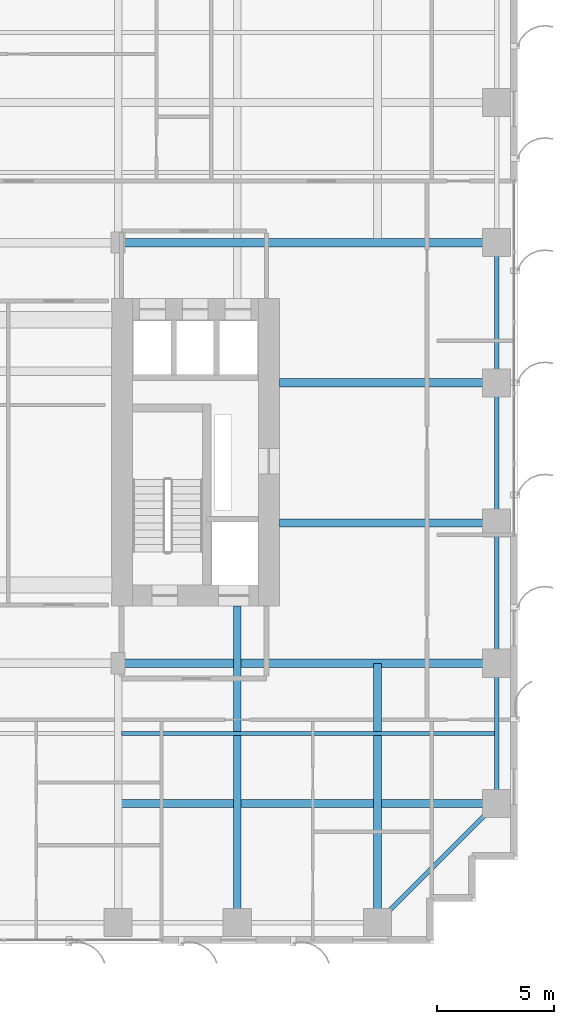
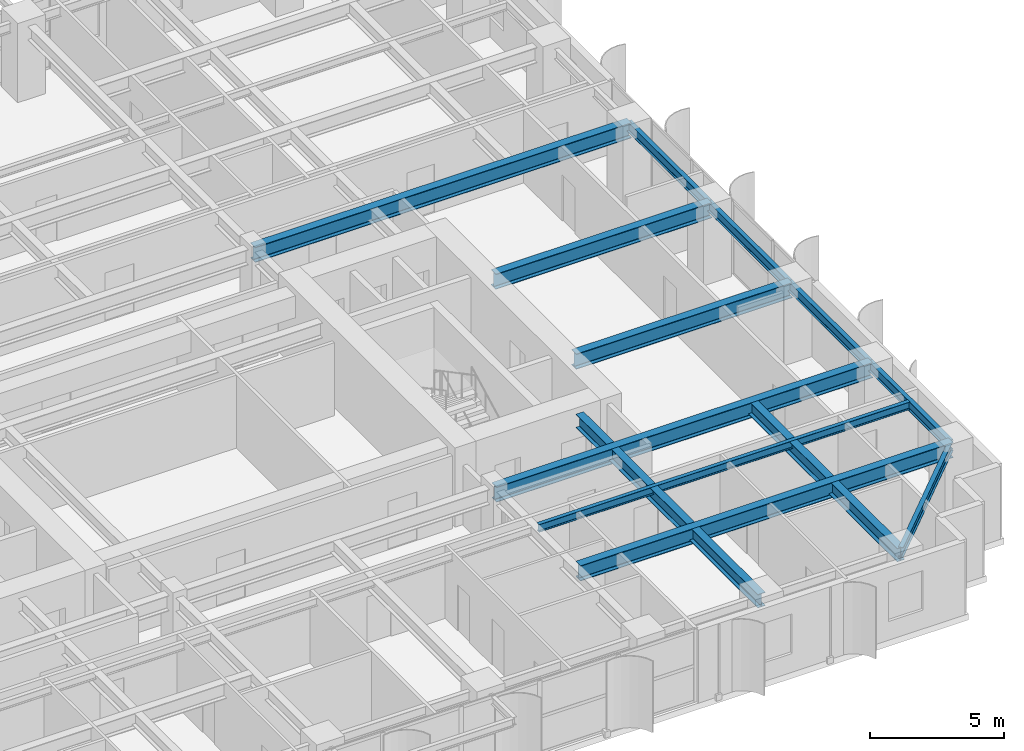
# One storey, part 8 of 25: 13 beams.
"""IFC4 building model written with IfcOpenShell, lengths in metres."""

import ifcopenshell
import ifcopenshell.guid

model = None  # the IFC model being written
_history = None  # IfcOwnerHistory: only IFC2X3 demands one
_inside = {}  # id of a spatial element -> (the spatial element, [elements in it])
_under = {}  # id of a project, library or spatial element -> (it, [spatial elements below it])
_declared = {}  # id of a project -> (the project, [libraries it declares])
_typed = {}  # id of a type object -> (the type object, [elements of that type])
_made_of = {}  # id of a material, layer set ... -> (it, [elements and type objects made of it])


def new_model(schema):
    """Start an empty IFC model of exactly this schema.

    Asked for "IFC4X3", IfcOpenShell would pick the latest addendum, in which some entities
    have other attributes; the version numbers below select the first issue.
    IFC2X3 requires an IfcOwnerHistory on every rooted entity: one is made here for all.
    """
    global model, _history
    if schema == "IFC4X3":
        model = ifcopenshell.file(schema_version=(4, 3, 0, 0))
    else:
        model = ifcopenshell.file(schema=schema)
    _inside.clear()
    _under.clear()
    _declared.clear()
    _typed.clear()
    _made_of.clear()
    _history = None
    if model.schema == "IFC2X3":
        org = make("IfcOrganization", Name="unknown")
        user = make(
            "IfcPersonAndOrganization",
            ThePerson=make("IfcPerson", FamilyName="unknown"),
            TheOrganization=org,
        )
        app = make(
            "IfcApplication",
            ApplicationDeveloper=org,
            Version="unknown",
            ApplicationFullName="unknown",
            ApplicationIdentifier="unknown",
        )
        _history = make(
            "IfcOwnerHistory",
            OwningUser=user,
            OwningApplication=app,
            ChangeAction="ADDED",
            CreationDate=0,
        )
    return model


def make(cls, **values):
    """One entity of the class cls with the attributes given. An attribute that is None is left unset."""
    return model.create_entity(
        cls, **{name: value for name, value in values.items() if value is not None}
    )


def rooted(cls, **values):
    """An entity with a GlobalId (a new one), such as an element, a storey or a relation."""
    return make(cls, GlobalId=ifcopenshell.guid.new(), OwnerHistory=_history, **values)


def si_unit(unit_type, name, prefix=None):
    """IfcSIUnit, for example si_unit("LENGTHUNIT", "METRE", prefix="MILLI")."""
    return make("IfcSIUnit", UnitType=unit_type, Prefix=prefix, Name=name)


def assignment(units):
    """IfcUnitAssignment: the units of a project."""
    return None if units is None else make("IfcUnitAssignment", Units=units)


def point(xyz):
    """IfcCartesianPoint."""
    return None if xyz is None else make("IfcCartesianPoint", Coordinates=xyz)


def direction(xyz):
    """IfcDirection."""
    return None if xyz is None else make("IfcDirection", DirectionRatios=xyz)


def frame(location, z_axis=None, x_axis=None):
    """IfcAxis2Placement3D, a coordinate frame: its origin and axes. An axis left out is left unset."""
    return make(
        "IfcAxis2Placement3D",
        Location=point(location),
        Axis=direction(z_axis),
        RefDirection=direction(x_axis),
    )


def frame_2d(location, x_axis=None):
    """IfcAxis2Placement2D, a coordinate frame in the plane: its origin and x axis."""
    return make(
        "IfcAxis2Placement2D", Location=point(location), RefDirection=direction(x_axis)
    )


def origin():
    """The frame at (0, 0, 0) with its axes left unset."""
    return frame((0.0, 0.0, 0.0))


def origin_2d():
    """The frame at (0, 0) in the plane with its x axis left unset."""
    return frame_2d((0.0, 0.0))


def place(relative_to, where):
    """IfcLocalPlacement: puts the frame where relative to a parent placement (None: the world)."""
    return make(
        "IfcLocalPlacement", PlacementRelTo=relative_to, RelativePlacement=where
    )


def context(
    kind, dimensions, precision=None, world=None, true_north=None, identifier=None
):
    """IfcGeometricRepresentationContext, for example the 3D "Model" context."""
    return make(
        "IfcGeometricRepresentationContext",
        ContextIdentifier=identifier,
        ContextType=kind,
        CoordinateSpaceDimension=dimensions,
        Precision=precision,
        WorldCoordinateSystem=world,
        TrueNorth=true_north,
    )


def subcontext(parent, identifier, kind, view, scale=None):
    """IfcGeometricRepresentationSubContext, for example "Body" below "Model"."""
    return make(
        "IfcGeometricRepresentationSubContext",
        ContextIdentifier=identifier,
        ContextType=kind,
        ParentContext=parent,
        TargetScale=scale,
        TargetView=view,
    )


def project(units=None, contexts=None):
    """IfcProject with its units and contexts."""
    return rooted(
        "IfcProject",
        Name="project",
        RepresentationContexts=contexts,
        UnitsInContext=assignment(units),
    )


def spatial(cls, under=None, at=None, **own):
    """A site, building, storey or space (cls), placed at a placement, below another one or the project."""
    s = rooted(cls, ObjectPlacement=at, **own)
    if under is not None:
        _under.setdefault(under.id(), (under, []))[1].append(s)
    return s


def profile(cls, at=None, kind="AREA", **sizes):
    """A parametric profile (cls). Its sizes go by their IFC names, for example OverallWidth=200.0."""
    return make(cls, ProfileType=kind, Position=at, **sizes)


def i_section(**sizes):
    """IfcIShapeProfileDef."""
    return profile("IfcIShapeProfileDef", **sizes)


def extrude(swept, where, along, depth):
    """IfcExtrudedAreaSolid: the profile swept, set in the frame where, extruded along a direction by depth."""
    return make(
        "IfcExtrudedAreaSolid",
        SweptArea=swept,
        Position=where,
        ExtrudedDirection=direction(along),
        Depth=depth,
    )


def shape(context_of_items, identifier, shape_type, items):
    """IfcShapeRepresentation: the items that make up one representation, for example the "Body"."""
    return make(
        "IfcShapeRepresentation",
        ContextOfItems=context_of_items,
        RepresentationIdentifier=identifier,
        RepresentationType=shape_type,
        Items=items,
    )


def source(mapping_origin, context_of_items, identifier, shape_type, items):
    """IfcRepresentationMap: a shape defined once, which mapped items show again and again."""
    return make(
        "IfcRepresentationMap",
        MappingOrigin=mapping_origin,
        MappedRepresentation=shape(context_of_items, identifier, shape_type, items),
    )


def transform(
    local_origin,
    x_axis=None,
    y_axis=None,
    z_axis=None,
    scale=None,
    scale2=None,
    scale3=None,
    uniform=True,
):
    """IfcCartesianTransformationOperator3D, or its non-uniform kind. x_axis, y_axis, z_axis: its Axis1, 2, 3."""
    if uniform:
        return make(
            "IfcCartesianTransformationOperator3D",
            Axis1=direction(x_axis),
            Axis2=direction(y_axis),
            LocalOrigin=point(local_origin),
            Scale=scale,
            Axis3=direction(z_axis),
        )
    return make(
        "IfcCartesianTransformationOperator3DnonUniform",
        Axis1=direction(x_axis),
        Axis2=direction(y_axis),
        LocalOrigin=point(local_origin),
        Scale=scale,
        Axis3=direction(z_axis),
        Scale2=scale2,
        Scale3=scale3,
    )


def mapped(mapping_source, mapping_target):
    """IfcMappedItem: shows the shape of a source again, moved by a transform."""
    return make(
        "IfcMappedItem", MappingSource=mapping_source, MappingTarget=mapping_target
    )


def material(Name=None, Category=None):
    """IfcMaterial."""
    return make("IfcMaterial", Name=Name, Category=Category)


def material_profile(
    of_material, cross_section, Name=None, Category=None, Priority=None
):
    """IfcMaterialProfile: a cross section and its material."""
    return make(
        "IfcMaterialProfile",
        Name=Name,
        Material=of_material,
        Profile=cross_section,
        Priority=Priority,
        Category=Category,
    )


def profile_set(profiles, Name=None, composite=None):
    """IfcMaterialProfileSet."""
    return make(
        "IfcMaterialProfileSet",
        Name=Name,
        MaterialProfiles=profiles,
        CompositeProfile=composite,
    )


def made_of(thing, what):
    """Note that an element or type object is made of a material, layer set ...; save() writes the relation."""
    if what is not None:
        _made_of.setdefault(what.id(), (what, []))[1].append(thing)
    return thing


def type_object(cls, material=None, **own):
    """A type object (cls), such as IfcWallType, which elements share."""
    return made_of(rooted(cls, **own), material)


def element(
    cls,
    number,
    at=None,
    inside=None,
    cuts=None,
    type_object=None,
    material=None,
    context=None,
    identifier="Body",
    shape_type=None,
    held_by="IfcProductDefinitionShape",
    body=None,
    shapes=None,
    **own,
):
    """One element of the class cls, such as IfcWall. Its Tag is "e" and its number.

    at: its placement. inside: the storey or other place that contains it. cuts: it is an
    opening in that element (IfcRelVoidsElement). A single representation is given by context,
    identifier, shape_type and body (its items); several are given by shapes. held_by: the class
    of the entity that holds the representations. save() writes the other relations.
    """
    e = rooted(cls, Tag="e%d" % number, ObjectPlacement=at, **own)
    if body is not None:
        shapes = [shape(context, identifier, shape_type, body)]
    if shapes is not None:
        e.Representation = make(held_by, Representations=shapes)
    if inside is not None:
        _inside.setdefault(inside.id(), (inside, []))[1].append(e)
    if cuts is not None:
        rooted(
            "IfcRelVoidsElement", RelatingBuildingElement=cuts, RelatedOpeningElement=e
        )
    if type_object is not None:
        _typed.setdefault(type_object.id(), (type_object, []))[1].append(e)
    return made_of(e, material)


def aggregate(whole, parts):
    """IfcRelAggregates: a whole, such as a stair, and the parts it consists of."""
    return rooted("IfcRelAggregates", RelatingObject=whole, RelatedObjects=parts)


def save(model, path):
    """Write the relations noted so far, then the file.

    IfcRelAggregates (storeys below a building ...), IfcRelContainedInSpatialStructure (elements
    in a storey), IfcRelDefinesByType, IfcRelAssociatesMaterial and IfcRelDeclares: one each for
    every whole, place, type object, material and project.
    """
    for whole, parts in _under.values():
        aggregate(whole, parts)
    for where, things in _inside.values():
        rooted(
            "IfcRelContainedInSpatialStructure",
            RelatedElements=things,
            RelatingStructure=where,
        )
    for kind, things in _typed.values():
        rooted("IfcRelDefinesByType", RelatedObjects=things, RelatingType=kind)
    for what, things in _made_of.values():
        rooted("IfcRelAssociatesMaterial", RelatedObjects=things, RelatingMaterial=what)
    for by, libraries in _declared.values():
        rooted("IfcRelDeclares", RelatingContext=by, RelatedDefinitions=libraries)
    model.write(path)


model = new_model("IFC4")

# Units and contexts
model_context = context("Model", 3, precision=1e-05, world=origin(), true_north=direction((0.0, 1.0)))
body_context = subcontext(model_context, "Body", "Model", "MODEL_VIEW")
ifc_project = project(units=[si_unit("LENGTHUNIT", "METRE"), si_unit("AREAUNIT", "SQUARE_METRE"), si_unit("VOLUMEUNIT", "CUBIC_METRE"), si_unit("PLANEANGLEUNIT", "RADIAN"), si_unit("MASSUNIT", "GRAM", prefix="KILO")], contexts=[model_context])

# Site, building, storey
site_placement = place(None, origin())
site = spatial("IfcSite", under=ifc_project, at=site_placement, CompositionType="ELEMENT")
building_placement = place(site_placement, origin())
building = spatial("IfcBuilding", under=site, at=building_placement, Name="Khoralis Quay Care Tower", CompositionType="ELEMENT")
storey_placement = place(building_placement, frame((0.0, 0.0, 65.699951171875)))
storey = spatial("IfcBuildingStorey", under=building, at=storey_placement, Name="L17", CompositionType="ELEMENT", Elevation=65.699951171875)

# Beams
ifc_material = material(Name="Steel S355", Category="steel")
ifc_material_profile_1 = material_profile(ifc_material, i_section(OverallWidth=0.18994140625, OverallDepth=0.449951171875, WebThickness=0.009521484375, FlangeThickness=0.0146484375, FilletRadius=0.02099609375, at=origin_2d()), Name="Steel S355")
ifc_profile_set_1 = profile_set([ifc_material_profile_1], Name="Steel S355")
beam_type_1 = type_object("IfcBeamType", Name="BM-IPE450", PredefinedType="SPANDREL", material=ifc_profile_set_1)
shared_shape_1 = source(origin(), body_context, "Body", "SweptSolid", [
    extrude(i_section(OverallWidth=0.18994140625, OverallDepth=0.449951171875, WebThickness=0.009521484375, FlangeThickness=0.0146484375, FilletRadius=0.02099609375, at=origin_2d()), origin(), (0.0, 0.0, 1.0), 6.0),
])
for number, where, z_axis, x_axis, name in (
    (1, (47.10009765625, 6.0, 3.094970703125), (0.0, 1.0, 0.0), (-1.0, 0.0, 0.0), "BM-TSP-L17-19"),
    (2, (47.10009765625, 12.0, 3.094970703125), (0.0, 1.0, 0.0), (-1.0, 0.0, 0.0), "BM-TSP-L17-20"),
    (3, (47.10009765625, 18.0, 3.094970703125), (0.0, 1.0, 0.0), (-1.0, 0.0, 0.0), "BM-TSP-L17-21"),
    (4, (47.10009765625, 24.0, 3.094970703125), (0.0, 1.0, 0.0), (-1.0, 0.0, 0.0), "BM-TSP-L17-22"),
):
    element("IfcBeam", number, at=place(storey_placement, frame(where, z_axis=z_axis, x_axis=x_axis)), inside=storey, type_object=beam_type_1, Name=name, PredefinedType="SPANDREL", context=body_context, shape_type="MappedRepresentation", body=[
        mapped(shared_shape_1, transform((0.0, 0.0, 0.0), scale=1.0)),
    ])
shared_shape_2 = source(origin(), body_context, "Body", "SweptSolid", [
    extrude(i_section(OverallWidth=0.18994140625, OverallDepth=0.449951171875, WebThickness=0.009521484375, FlangeThickness=0.0146484375, FilletRadius=0.02099609375, at=origin_2d()), origin(), (0.0, 0.0, 1.0), 7.212646484375),
])
beam_1_placement = place(storey_placement, frame((42.0, 0.89990234375, 3.094970703125), z_axis=(0.707106781187, 0.707106781187, 0.0), x_axis=(-0.707106781187, 0.707106781187, 0.0)))
element("IfcBeam", 5, at=beam_1_placement, inside=storey, type_object=beam_type_1, Name="BM-TCR-L17-26", PredefinedType="SPANDREL", context=body_context, shape_type="MappedRepresentation", body=[
    mapped(shared_shape_2, transform((0.0, 0.0, 0.0), scale=1.0)),
])
ifc_material_profile_2 = material_profile(ifc_material, i_section(OverallWidth=0.35498046875, OverallDepth=0.695068359375, WebThickness=0.015380859375, FlangeThickness=0.02490234375, FilletRadius=0.02001953125, at=origin_2d()), Name="Steel S355")
ifc_profile_set_2 = profile_set([ifc_material_profile_2], Name="Steel S355")
beam_type_2 = type_object("IfcBeamType", Name="BM-W690X217", PredefinedType="BEAM", material=ifc_profile_set_2)
shared_shape_3 = source(origin(), body_context, "Body", "SweptSolid", [
    extrude(i_section(OverallWidth=0.35498046875, OverallDepth=0.695068359375, WebThickness=0.015380859375, FlangeThickness=0.02490234375, FilletRadius=0.02001953125, at=origin_2d()), origin(), (0.0, 0.0, 1.0), 16.049560546875),
])
beam_2_placement = place(storey_placement, frame((31.050537109375, 6.0, 2.97265625), z_axis=(1.0, 0.0, 0.0), x_axis=(0.0, 1.0, 0.0)))
element("IfcBeam", 6, at=beam_2_placement, inside=storey, type_object=beam_type_2, Name="BM-TGXE-L17-60", PredefinedType="BEAM", context=body_context, shape_type="MappedRepresentation", body=[
    mapped(shared_shape_3, transform((0.0, 0.0, 0.0), scale=1.0)),
])
shared_shape_4 = source(origin(), body_context, "Body", "SweptSolid", [
    extrude(i_section(OverallWidth=0.35498046875, OverallDepth=0.695068359375, WebThickness=0.015380859375, FlangeThickness=0.02490234375, FilletRadius=0.02001953125, at=origin_2d()), origin(), (0.0, 0.0, 1.0), 16.2001953125),
])
for number, where, z_axis, x_axis, name in (
    (7, (30.89990234375, 12.0, 2.97265625), (1.0, 0.0, 0.0), (0.0, 1.0, 0.0), "BM-TGXE-L17-120"),
    (8, (30.89990234375, 30.0, 2.97265625), (1.0, 0.0, 0.0), (0.0, 1.0, 0.0), "BM-TGXE-L17-300"),
):
    element("IfcBeam", number, at=place(storey_placement, frame(where, z_axis=z_axis, x_axis=x_axis)), inside=storey, type_object=beam_type_2, Name=name, PredefinedType="BEAM", context=body_context, shape_type="MappedRepresentation", body=[
        mapped(shared_shape_4, transform((0.0, 0.0, 0.0), scale=1.0)),
    ])
shared_shape_5 = source(origin(), body_context, "Body", "SweptSolid", [
    extrude(i_section(OverallWidth=0.35498046875, OverallDepth=0.695068359375, WebThickness=0.015380859375, FlangeThickness=0.02490234375, FilletRadius=0.02001953125, at=origin_2d()), origin(), (0.0, 0.0, 1.0), 9.302001953125),
])
for number, where, z_axis, x_axis, name in (
    (9, (37.798095703125, 18.0, 2.97265625), (1.0, 0.0, 0.0), (0.0, 1.0, 0.0), "BM-TGXE-L17-180"),
    (10, (37.798095703125, 24.0, 2.97265625), (1.0, 0.0, 0.0), (0.0, 1.0, 0.0), "BM-TGXE-L17-240"),
):
    element("IfcBeam", number, at=place(storey_placement, frame(where, z_axis=z_axis, x_axis=x_axis)), inside=storey, type_object=beam_type_2, Name=name, PredefinedType="BEAM", context=body_context, shape_type="MappedRepresentation", body=[
        mapped(shared_shape_5, transform((0.0, 0.0, 0.0), scale=1.0)),
    ])
ifc_material_profile_3 = material_profile(ifc_material, i_section(OverallWidth=0.324951171875, OverallDepth=0.615966796875, WebThickness=0.013916015625, FlangeThickness=0.021484375, FilletRadius=0.01806640625, at=origin_2d()), Name="Steel S355")
ifc_profile_set_3 = profile_set([ifc_material_profile_3], Name="Steel S355")
beam_type_3 = type_object("IfcBeamType", Name="BM-W610X174", PredefinedType="BEAM", material=ifc_profile_set_3)
shared_shape_6 = source(origin(), body_context, "Body", "SweptSolid", [
    extrude(i_section(OverallWidth=0.324951171875, OverallDepth=0.615966796875, WebThickness=0.013916015625, FlangeThickness=0.021484375, FilletRadius=0.01806640625, at=origin_2d()), origin(), (0.0, 0.0, 1.0), 11.10009765625),
])
beam_3_placement = place(storey_placement, frame((42.0, 0.89990234375, 3.011962890625), z_axis=(0.0, 1.0, 0.0), x_axis=(-1.0, 0.0, 0.0)))
element("IfcBeam", 11, at=beam_3_placement, inside=storey, type_object=beam_type_3, Name="BM-TGYS-L17-420", PredefinedType="BEAM", context=body_context, shape_type="MappedRepresentation", body=[
    mapped(shared_shape_6, transform((0.0, 0.0, 0.0), scale=1.0)),
])
shared_shape_7 = source(origin(), body_context, "Body", "SweptSolid", [
    extrude(i_section(OverallWidth=0.324951171875, OverallDepth=0.615966796875, WebThickness=0.013916015625, FlangeThickness=0.021484375, FilletRadius=0.01806640625, at=origin_2d()), origin(), (0.0, 0.0, 1.0), 13.552001953125),
])
beam_4_placement = place(storey_placement, frame((36.0, 0.89990234375, 3.011962890625), z_axis=(0.0, 1.0, 0.0), x_axis=(-1.0, 0.0, 0.0)))
element("IfcBeam", 12, at=beam_4_placement, inside=storey, type_object=beam_type_3, Name="BM-TGYS-L17-360", PredefinedType="BEAM", context=body_context, shape_type="MappedRepresentation", body=[
    mapped(shared_shape_7, transform((0.0, 0.0, 0.0), scale=1.0)),
])
ifc_material_profile_4 = material_profile(ifc_material, i_section(OverallWidth=0.1708984375, OverallDepth=0.35498046875, WebThickness=0.007080078125, FlangeThickness=0.01171875, FilletRadius=0.012939453125, at=origin_2d()), Name="Steel S355")
ifc_profile_set_4 = profile_set([ifc_material_profile_4], Name="Steel S355")
beam_type_4 = type_object("IfcBeamType", Name="BM-W360X51", PredefinedType="JOIST", material=ifc_profile_set_4)
shared_shape_8 = source(origin(), body_context, "Body", "SweptSolid", [
    extrude(i_section(OverallWidth=0.1708984375, OverallDepth=0.35498046875, WebThickness=0.007080078125, FlangeThickness=0.01171875, FilletRadius=0.012939453125, at=origin_2d()), origin(), (0.0, 0.0, 1.0), 15.968505859375),
])
beam_5_placement = place(storey_placement, frame((31.050537109375, 9.0, 3.142578125), z_axis=(1.0, 0.0, 0.0), x_axis=(0.0, 1.0, 0.0)))
element("IfcBeam", 13, at=beam_5_placement, inside=storey, type_object=beam_type_4, Name="BM-TJS-L17-30", PredefinedType="JOIST", context=body_context, shape_type="MappedRepresentation", body=[
    mapped(shared_shape_8, transform((0.0, 0.0, 0.0), scale=1.0)),
])

save(model, "model.ifc")
